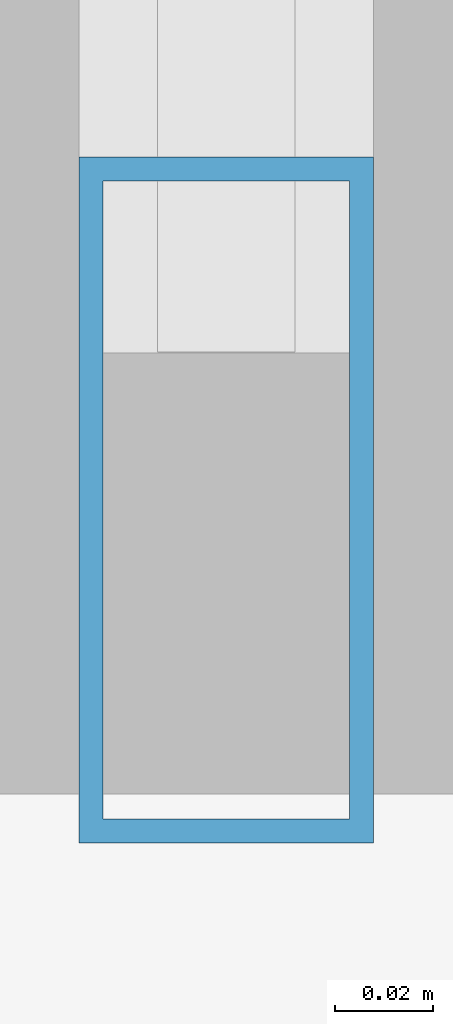
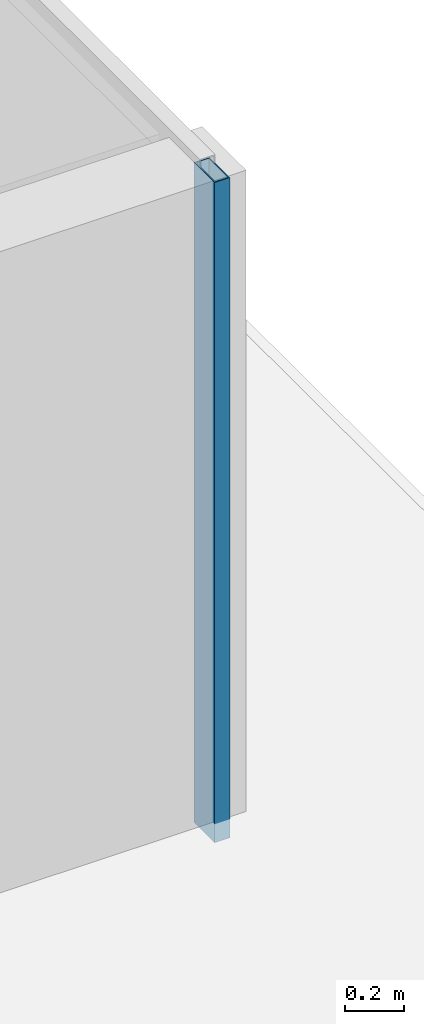
# One storey, part 11 of 27: 1 member, 1 element without a shape of its own.
"""IFC4 building model written with IfcOpenShell, lengths in metres."""

import ifcopenshell
import ifcopenshell.guid

model = None  # the IFC model being written
_history = None  # IfcOwnerHistory: only IFC2X3 demands one
_inside = {}  # id of a spatial element -> (the spatial element, [elements in it])
_under = {}  # id of a project, library or spatial element -> (it, [spatial elements below it])
_declared = {}  # id of a project -> (the project, [libraries it declares])
_typed = {}  # id of a type object -> (the type object, [elements of that type])
_made_of = {}  # id of a material, layer set ... -> (it, [elements and type objects made of it])


def new_model(schema):
    """Start an empty IFC model of exactly this schema.

    Asked for "IFC4X3", IfcOpenShell would pick the latest addendum, in which some entities
    have other attributes; the version numbers below select the first issue.
    IFC2X3 requires an IfcOwnerHistory on every rooted entity: one is made here for all.
    """
    global model, _history
    if schema == "IFC4X3":
        model = ifcopenshell.file(schema_version=(4, 3, 0, 0))
    else:
        model = ifcopenshell.file(schema=schema)
    _inside.clear()
    _under.clear()
    _declared.clear()
    _typed.clear()
    _made_of.clear()
    _history = None
    if model.schema == "IFC2X3":
        org = make("IfcOrganization", Name="unknown")
        user = make(
            "IfcPersonAndOrganization",
            ThePerson=make("IfcPerson", FamilyName="unknown"),
            TheOrganization=org,
        )
        app = make(
            "IfcApplication",
            ApplicationDeveloper=org,
            Version="unknown",
            ApplicationFullName="unknown",
            ApplicationIdentifier="unknown",
        )
        _history = make(
            "IfcOwnerHistory",
            OwningUser=user,
            OwningApplication=app,
            ChangeAction="ADDED",
            CreationDate=0,
        )
    return model


def make(cls, **values):
    """One entity of the class cls with the attributes given. An attribute that is None is left unset."""
    return model.create_entity(
        cls, **{name: value for name, value in values.items() if value is not None}
    )


def rooted(cls, **values):
    """An entity with a GlobalId (a new one), such as an element, a storey or a relation."""
    return make(cls, GlobalId=ifcopenshell.guid.new(), OwnerHistory=_history, **values)


def si_unit(unit_type, name, prefix=None):
    """IfcSIUnit, for example si_unit("LENGTHUNIT", "METRE", prefix="MILLI")."""
    return make("IfcSIUnit", UnitType=unit_type, Prefix=prefix, Name=name)


def assignment(units):
    """IfcUnitAssignment: the units of a project."""
    return None if units is None else make("IfcUnitAssignment", Units=units)


def point(xyz):
    """IfcCartesianPoint."""
    return None if xyz is None else make("IfcCartesianPoint", Coordinates=xyz)


def direction(xyz):
    """IfcDirection."""
    return None if xyz is None else make("IfcDirection", DirectionRatios=xyz)


def frame(location, z_axis=None, x_axis=None):
    """IfcAxis2Placement3D, a coordinate frame: its origin and axes. An axis left out is left unset."""
    return make(
        "IfcAxis2Placement3D",
        Location=point(location),
        Axis=direction(z_axis),
        RefDirection=direction(x_axis),
    )


def frame_2d(location, x_axis=None):
    """IfcAxis2Placement2D, a coordinate frame in the plane: its origin and x axis."""
    return make(
        "IfcAxis2Placement2D", Location=point(location), RefDirection=direction(x_axis)
    )


def origin():
    """The frame at (0, 0, 0) with its axes left unset."""
    return frame((0.0, 0.0, 0.0))


def origin_2d():
    """The frame at (0, 0) in the plane with its x axis left unset."""
    return frame_2d((0.0, 0.0))


def place(relative_to, where):
    """IfcLocalPlacement: puts the frame where relative to a parent placement (None: the world)."""
    return make(
        "IfcLocalPlacement", PlacementRelTo=relative_to, RelativePlacement=where
    )


def context(
    kind, dimensions, precision=None, world=None, true_north=None, identifier=None
):
    """IfcGeometricRepresentationContext, for example the 3D "Model" context."""
    return make(
        "IfcGeometricRepresentationContext",
        ContextIdentifier=identifier,
        ContextType=kind,
        CoordinateSpaceDimension=dimensions,
        Precision=precision,
        WorldCoordinateSystem=world,
        TrueNorth=true_north,
    )


def subcontext(parent, identifier, kind, view, scale=None):
    """IfcGeometricRepresentationSubContext, for example "Body" below "Model"."""
    return make(
        "IfcGeometricRepresentationSubContext",
        ContextIdentifier=identifier,
        ContextType=kind,
        ParentContext=parent,
        TargetScale=scale,
        TargetView=view,
    )


def project(units=None, contexts=None):
    """IfcProject with its units and contexts."""
    return rooted(
        "IfcProject",
        Name="project",
        RepresentationContexts=contexts,
        UnitsInContext=assignment(units),
    )


def spatial(cls, under=None, at=None, **own):
    """A site, building, storey or space (cls), placed at a placement, below another one or the project."""
    s = rooted(cls, ObjectPlacement=at, **own)
    if under is not None:
        _under.setdefault(under.id(), (under, []))[1].append(s)
    return s


def profile(cls, at=None, kind="AREA", **sizes):
    """A parametric profile (cls). Its sizes go by their IFC names, for example OverallWidth=200.0."""
    return make(cls, ProfileType=kind, Position=at, **sizes)


def hollow_rectangle(**sizes):
    """IfcRectangleHollowProfileDef."""
    return profile("IfcRectangleHollowProfileDef", **sizes)


def extrude(swept, where, along, depth):
    """IfcExtrudedAreaSolid: the profile swept, set in the frame where, extruded along a direction by depth."""
    return make(
        "IfcExtrudedAreaSolid",
        SweptArea=swept,
        Position=where,
        ExtrudedDirection=direction(along),
        Depth=depth,
    )


def shape(context_of_items, identifier, shape_type, items):
    """IfcShapeRepresentation: the items that make up one representation, for example the "Body"."""
    return make(
        "IfcShapeRepresentation",
        ContextOfItems=context_of_items,
        RepresentationIdentifier=identifier,
        RepresentationType=shape_type,
        Items=items,
    )


def source(mapping_origin, context_of_items, identifier, shape_type, items):
    """IfcRepresentationMap: a shape defined once, which mapped items show again and again."""
    return make(
        "IfcRepresentationMap",
        MappingOrigin=mapping_origin,
        MappedRepresentation=shape(context_of_items, identifier, shape_type, items),
    )


def transform(
    local_origin,
    x_axis=None,
    y_axis=None,
    z_axis=None,
    scale=None,
    scale2=None,
    scale3=None,
    uniform=True,
):
    """IfcCartesianTransformationOperator3D, or its non-uniform kind. x_axis, y_axis, z_axis: its Axis1, 2, 3."""
    if uniform:
        return make(
            "IfcCartesianTransformationOperator3D",
            Axis1=direction(x_axis),
            Axis2=direction(y_axis),
            LocalOrigin=point(local_origin),
            Scale=scale,
            Axis3=direction(z_axis),
        )
    return make(
        "IfcCartesianTransformationOperator3DnonUniform",
        Axis1=direction(x_axis),
        Axis2=direction(y_axis),
        LocalOrigin=point(local_origin),
        Scale=scale,
        Axis3=direction(z_axis),
        Scale2=scale2,
        Scale3=scale3,
    )


def mapped(mapping_source, mapping_target):
    """IfcMappedItem: shows the shape of a source again, moved by a transform."""
    return make(
        "IfcMappedItem", MappingSource=mapping_source, MappingTarget=mapping_target
    )


def material(Name=None, Category=None):
    """IfcMaterial."""
    return make("IfcMaterial", Name=Name, Category=Category)


def layer(
    of_material, thickness, ventilated=None, Name=None, Category=None, Priority=None
):
    """IfcMaterialLayer: one layer of a wall or slab, of a material (None: an air gap)."""
    return make(
        "IfcMaterialLayer",
        Material=of_material,
        LayerThickness=thickness,
        IsVentilated=ventilated,
        Name=Name,
        Category=Category,
        Priority=Priority,
    )


def layer_set(layers, Name=None):
    """IfcMaterialLayerSet."""
    return make("IfcMaterialLayerSet", MaterialLayers=layers, LayerSetName=Name)


def material_profile(
    of_material, cross_section, Name=None, Category=None, Priority=None
):
    """IfcMaterialProfile: a cross section and its material."""
    return make(
        "IfcMaterialProfile",
        Name=Name,
        Material=of_material,
        Profile=cross_section,
        Priority=Priority,
        Category=Category,
    )


def profile_set(profiles, Name=None, composite=None):
    """IfcMaterialProfileSet."""
    return make(
        "IfcMaterialProfileSet",
        Name=Name,
        MaterialProfiles=profiles,
        CompositeProfile=composite,
    )


def made_of(thing, what):
    """Note that an element or type object is made of a material, layer set ...; save() writes the relation."""
    if what is not None:
        _made_of.setdefault(what.id(), (what, []))[1].append(thing)
    return thing


def type_object(cls, material=None, **own):
    """A type object (cls), such as IfcWallType, which elements share."""
    return made_of(rooted(cls, **own), material)


def element(
    cls,
    number,
    at=None,
    inside=None,
    cuts=None,
    type_object=None,
    material=None,
    context=None,
    identifier="Body",
    shape_type=None,
    held_by="IfcProductDefinitionShape",
    body=None,
    shapes=None,
    **own,
):
    """One element of the class cls, such as IfcWall. Its Tag is "e" and its number.

    at: its placement. inside: the storey or other place that contains it. cuts: it is an
    opening in that element (IfcRelVoidsElement). A single representation is given by context,
    identifier, shape_type and body (its items); several are given by shapes. held_by: the class
    of the entity that holds the representations. save() writes the other relations.
    """
    e = rooted(cls, Tag="e%d" % number, ObjectPlacement=at, **own)
    if body is not None:
        shapes = [shape(context, identifier, shape_type, body)]
    if shapes is not None:
        e.Representation = make(held_by, Representations=shapes)
    if inside is not None:
        _inside.setdefault(inside.id(), (inside, []))[1].append(e)
    if cuts is not None:
        rooted(
            "IfcRelVoidsElement", RelatingBuildingElement=cuts, RelatedOpeningElement=e
        )
    if type_object is not None:
        _typed.setdefault(type_object.id(), (type_object, []))[1].append(e)
    return made_of(e, material)


def aggregate(whole, parts):
    """IfcRelAggregates: a whole, such as a stair, and the parts it consists of."""
    return rooted("IfcRelAggregates", RelatingObject=whole, RelatedObjects=parts)


def save(model, path):
    """Write the relations noted so far, then the file.

    IfcRelAggregates (storeys below a building ...), IfcRelContainedInSpatialStructure (elements
    in a storey), IfcRelDefinesByType, IfcRelAssociatesMaterial and IfcRelDeclares: one each for
    every whole, place, type object, material and project.
    """
    for whole, parts in _under.values():
        aggregate(whole, parts)
    for where, things in _inside.values():
        rooted(
            "IfcRelContainedInSpatialStructure",
            RelatedElements=things,
            RelatingStructure=where,
        )
    for kind, things in _typed.values():
        rooted("IfcRelDefinesByType", RelatedObjects=things, RelatingType=kind)
    for what, things in _made_of.values():
        rooted("IfcRelAssociatesMaterial", RelatedObjects=things, RelatingMaterial=what)
    for by, libraries in _declared.values():
        rooted("IfcRelDeclares", RelatingContext=by, RelatedDefinitions=libraries)
    model.write(path)


model = new_model("IFC4")

# Units and contexts
model_context = context("Model", 3, precision=1e-05, world=origin(), true_north=direction((0.0, 1.0)))
body_context = subcontext(model_context, "Body", "Model", "MODEL_VIEW")
ifc_project = project(units=[si_unit("LENGTHUNIT", "METRE"), si_unit("AREAUNIT", "SQUARE_METRE"), si_unit("VOLUMEUNIT", "CUBIC_METRE"), si_unit("PLANEANGLEUNIT", "RADIAN"), si_unit("MASSUNIT", "GRAM", prefix="KILO")], contexts=[model_context])

# Site, building, storey
site_placement = place(None, origin())
site = spatial("IfcSite", under=ifc_project, at=site_placement, CompositionType="ELEMENT")
building_placement = place(site_placement, origin())
building = spatial("IfcBuilding", under=site, at=building_placement, Name="Sumidabori Civic Tower", CompositionType="ELEMENT")
storey_placement = place(building_placement, frame((0.0, 0.0, 228.800048828125)))
storey = spatial("IfcBuildingStorey", under=building, at=storey_placement, Name="L59", CompositionType="ELEMENT", Elevation=228.800048828125)

# Curtain wall, member
ifc_material = material(Name="Anodised Bronze Aluminium AW-6063-T6", Category="aluminium")
ifc_layer = layer(ifc_material, 0.179931640625, Name="Anodised Bronze Aluminium AW-6063-T6")
ifc_layer_set = layer_set([ifc_layer], Name="Anodised Bronze Aluminium AW-6063-T6")
curtain_wall_type = type_object("IfcCurtainWallType", Name="CW-SYS-5", PredefinedType="NOTDEFINED", material=ifc_layer_set)
curtain_wall_placement = place(storey_placement, origin())
curtain_wall = element("IfcCurtainWall", 1, at=curtain_wall_placement, inside=storey, type_object=curtain_wall_type, Name="Curtain Wall CW:L59:R05", PredefinedType="NOTDEFINED")
ifc_material_profile = material_profile(ifc_material, hollow_rectangle(XDim=0.06005859375, YDim=0.139892578125, WallThickness=0.0048828125, at=origin_2d()), Name="ALU MULLION 140x60")
ifc_profile_set = profile_set([ifc_material_profile], Name="Anodised Bronze Aluminium AW-6063-T6")
member_type = type_object("IfcMemberType", Name="CW-MUL-140", PredefinedType="MULLION", material=ifc_profile_set)
shared_shape = source(origin(), body_context, "Body", "SweptSolid", [
    extrude(hollow_rectangle(XDim=0.06005859375, YDim=0.139892578125, WallThickness=0.0048828125, at=origin_2d()), origin(), (0.0, 0.0, 1.0), 2.75),
])
member_placement = place(storey_placement, frame((22.3798828125, -7.840087890625, 0.0), z_axis=(0.0, 0.0, 1.0), x_axis=(-1.0, 0.0, 0.0)))
member = element("IfcMember", 2, at=member_placement, type_object=member_type, Name="CW-5 mullion 1", PredefinedType="MULLION", context=body_context, shape_type="MappedRepresentation", body=[
    mapped(shared_shape, transform((0.0, 0.0, 0.0), x_axis=(1.0, 0.0, 0.0), y_axis=(0.0, 1.0, 0.0), z_axis=(0.0, 0.0, 1.0), scale=1.0)),
])
aggregate(curtain_wall, [member])

save(model, "model.ifc")
